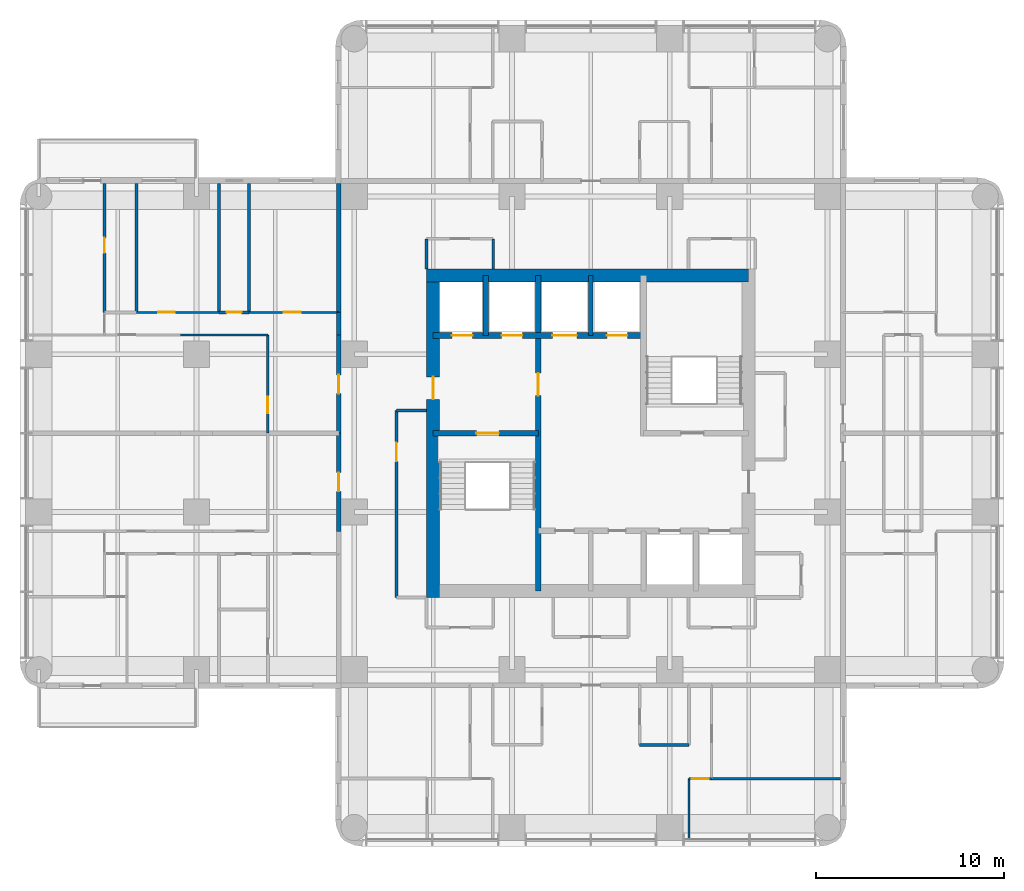
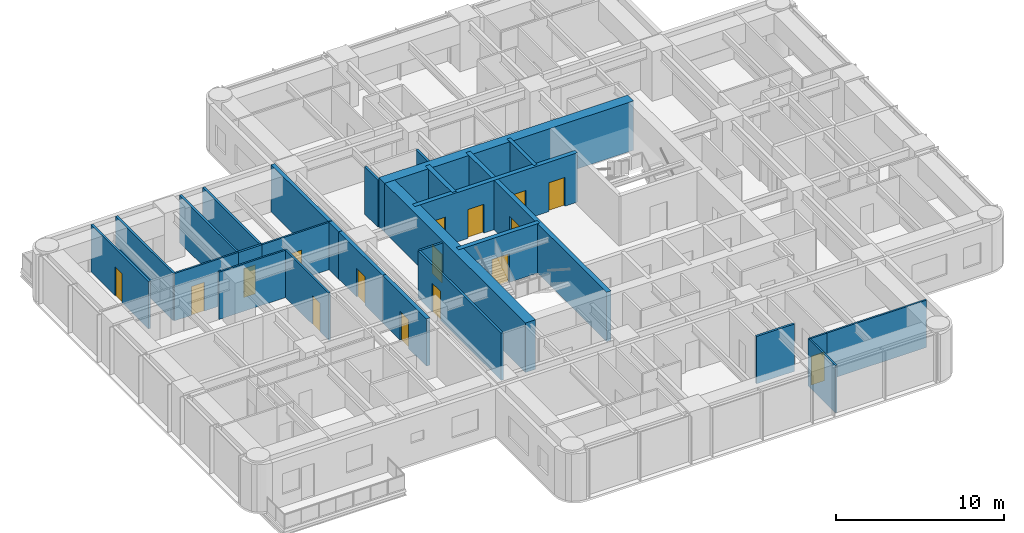
# One storey, part 6 of 11: 28 walls, 16 doors, 16 openings.
"""IFC4 building model written with IfcOpenShell, lengths in metres."""

from ifc_helpers import new_model, si_unit, direction, frame, frame_2d, origin, place, context, subcontext, project, spatial, rectangle, extrude, material, layer, layer_set, type_object, element, fill, save


model = new_model("IFC4")

# Units and contexts
model_context = context("Model", 3, precision=1e-05, world=origin(), true_north=direction((0.0, 1.0)))
body_context = subcontext(model_context, "Body", "Model", "MODEL_VIEW")
ifc_project = project(units=[si_unit("LENGTHUNIT", "METRE"), si_unit("AREAUNIT", "SQUARE_METRE"), si_unit("VOLUMEUNIT", "CUBIC_METRE"), si_unit("PLANEANGLEUNIT", "RADIAN"), si_unit("MASSUNIT", "GRAM", prefix="KILO")], contexts=[model_context])

# Site, building, storey
site_placement = place(None, origin())
site = spatial("IfcSite", under=ifc_project, at=site_placement, CompositionType="ELEMENT")
building_placement = place(site_placement, origin())
building = spatial("IfcBuilding", under=site, at=building_placement, Name="Torre Alcanfor", CompositionType="ELEMENT")
storey_placement = place(building_placement, frame((0.0, 0.0, 194.10009765625)))
storey = spatial("IfcBuildingStorey", under=building, at=storey_placement, Name="L50", CompositionType="ELEMENT", Elevation=194.10009765625)

# Wall, opening, door
ifc_material_1 = material(Name="Concrete block masonry, hollow blocks NMX-C-404 9 MPa", Category="masonry")
ifc_layer_1 = layer(ifc_material_1, 0.25)
ifc_layer_set_1 = layer_set([ifc_layer_1], Name="Apartment entrance wall 250 EI 60")
wall_type_1 = type_object("IfcWallType", Name="Apartment entrance wall 250 EI 60", PredefinedType="PARTITIONING", material=ifc_layer_set_1)
wall_1_placement = place(storey_placement, frame((15.97509765625, 24.1708984375, 0.0), z_axis=(0.0, 0.0, 1.0), x_axis=(0.0, 1.0, 0.0)))
wall_1 = element("IfcWall", 1, at=wall_1_placement, inside=storey, type_object=wall_type_1, Name="Partition L50-CORR / L50-W1-ZAG", PredefinedType="PARTITIONING", context=body_context, shape_type="SweptSolid", body=[
    extrude(rectangle(XDim=5.22900390625, YDim=0.25, at=frame_2d((2.614501953125, 0.0))), origin(), (0.0, 0.0, 1.0), 3.449951171875),
])
opening_1_placement = place(wall_1_placement, frame((2.12890625, 0.0, 0.0)))
opening_1 = element("IfcOpeningElement", 2, at=opening_1_placement, cuts=wall_1, Name="Opening D-A1", PredefinedType="OPENING", context=body_context, shape_type="SweptSolid", body=[
    extrude(rectangle(XDim=1.0, YDim=2.10009765625, at=frame_2d((0.5, 1.050048828125))), frame((0.0, 0.135009765625, 0.0), z_axis=(0.0, -1.0, 0.0), x_axis=(1.0, 0.0, 0.0)), (0.0, 0.0, 1.0), 0.27001953125),
])
ifc_material_2 = material(Name="Galvanised steel sheet ASTM A653", Category="steel")
door_type_1 = type_object("IfcDoorType", Name="Apartment entrance door FD60 1000x2100", OperationType="SINGLE_SWING_LEFT", PredefinedType="DOOR", material=ifc_material_2)
door_1_placement = place(opening_1_placement, origin())
door_1 = element("IfcDoor", 3, at=door_1_placement, inside=storey, type_object=door_type_1, Name="Apartment entrance L50-W1", OperationType="SINGLE_SWING_RIGHT", OverallHeight=2.10009765625, OverallWidth=1.0, PredefinedType="DOOR", context=body_context, shape_type="SweptSolid", body=[
    extrude(rectangle(XDim=1.0, YDim=2.10009765625, at=frame_2d((0.5, 1.050048828125))), frame((0.0, 0.02490234375, 0.0), z_axis=(0.0, -1.0, 0.0), x_axis=(1.0, 0.0, 0.0)), (0.0, 0.0, 1.0), 0.050048828125),
])
fill(opening_1, door_1)

wall_2_placement = place(storey_placement, frame((15.97509765625, 29.39990234375, 0.0), z_axis=(0.0, 0.0, 1.0), x_axis=(0.0, 1.0, 0.0)))
wall_2 = element("IfcWall", 4, at=wall_2_placement, inside=storey, type_object=wall_type_1, Name="Partition L50-CORR / L50-W2-ZAG", PredefinedType="PARTITIONING", context=body_context, shape_type="SweptSolid", body=[
    extrude(rectangle(XDim=5.22900390625, YDim=0.25, at=frame_2d((2.614501953125, 0.0))), origin(), (0.0, 0.0, 1.0), 3.449951171875),
])
opening_2_placement = place(wall_2_placement, frame((2.10009765625, 0.0, 0.0)))
opening_2 = element("IfcOpeningElement", 5, at=opening_2_placement, cuts=wall_2, Name="Opening D-A1", PredefinedType="OPENING", context=body_context, shape_type="SweptSolid", body=[
    extrude(rectangle(XDim=1.0, YDim=2.10009765625, at=frame_2d((0.5, 1.050048828125))), frame((0.0, 0.135009765625, 0.0), z_axis=(0.0, -1.0, 0.0), x_axis=(1.0, 0.0, 0.0)), (0.0, 0.0, 1.0), 0.27001953125),
])
door_2_placement = place(opening_2_placement, origin())
door_2 = element("IfcDoor", 6, at=door_2_placement, inside=storey, type_object=door_type_1, Name="Apartment entrance L50-W2", OperationType="SINGLE_SWING_LEFT", OverallHeight=2.10009765625, OverallWidth=1.0, PredefinedType="DOOR", context=body_context, shape_type="SweptSolid", body=[
    extrude(rectangle(XDim=1.0, YDim=2.10009765625, at=frame_2d((0.5, 1.050048828125))), frame((0.0, 0.02490234375, 0.0), z_axis=(0.0, -1.0, 0.0), x_axis=(1.0, 0.0, 0.0)), (0.0, 0.0, 1.0), 0.050048828125),
])
fill(opening_2, door_2)

# Walls
wall_3_placement = place(storey_placement, frame((15.97509765625, 34.62890625, 0.0), z_axis=(0.0, 0.0, 1.0), x_axis=(0.0, 1.0, 0.0)))
element("IfcWall", 7, at=wall_3_placement, inside=storey, type_object=wall_type_1, Name="Partition L50-CORR / L50-W2-HALL", PredefinedType="PARTITIONING", context=body_context, shape_type="SweptSolid", body=[
    extrude(rectangle(XDim=1.2001953125, YDim=0.25, at=frame_2d((0.60009765625, 0.0))), origin(), (0.0, 0.0, 1.0), 3.449951171875),
])
wall_4_placement = place(storey_placement, frame((15.97509765625, 35.8291015625, 0.0), z_axis=(0.0, 0.0, 1.0), x_axis=(0.0, 1.0, 0.0)))
element("IfcWall", 8, at=wall_4_placement, inside=storey, type_object=wall_type_1, Name="Partition L50-CORR / L50-W2-BED3", PredefinedType="PARTITIONING", context=body_context, shape_type="SweptSolid", body=[
    extrude(rectangle(XDim=6.870849609375, YDim=0.25, at=frame_2d((3.435546875, 0.0))), origin(), (0.0, 0.0, 1.0), 3.449951171875),
])

# Wall, opening, door
ifc_material_3 = material(Name="Gypsum board on steel studs", Category="steel")
ifc_layer_2 = layer(ifc_material_3, 0.1201171875)
ifc_layer_set_2 = layer_set([ifc_layer_2], Name="Apartment partition 120")
wall_type_2 = type_object("IfcWallType", Name="Apartment partition 120", PredefinedType="PARTITIONING", material=ifc_layer_set_2)
wall_5_placement = place(storey_placement, frame((35.8291015625, 11.0, 0.0), z_axis=(0.0, 0.0, 1.0), x_axis=(-1.0, 0.0, 0.0)))
wall_5 = element("IfcWall", 9, at=wall_5_placement, inside=storey, type_object=wall_type_2, Name="Partition L50-SX-LIVING / L50-SX-MASTER", PredefinedType="PARTITIONING", context=body_context, shape_type="SweptSolid", body=[
    extrude(rectangle(XDim=1.2001953125, YDim=0.1201171875, at=frame_2d((0.60009765625, 0.0))), origin(), (0.0, 0.0, 1.0), 3.449951171875),
])
opening_3_placement = place(wall_5_placement, frame((0.14892578125, 0.0, 0.0)))
opening_3 = element("IfcOpeningElement", 10, at=opening_3_placement, cuts=wall_5, Name="Opening D-R1", PredefinedType="OPENING", context=body_context, shape_type="SweptSolid", body=[
    extrude(rectangle(XDim=0.89990234375, YDim=2.10009765625, at=frame_2d((0.449951171875, 1.050048828125))), frame((0.0, 0.070068359375, 0.0), z_axis=(0.0, -1.0, 0.0), x_axis=(1.0, 0.0, 0.0)), (0.0, 0.0, 1.0), 0.14013671875),
])
ifc_material_4 = material(Name="Timber", Category="wood")
door_type_2 = type_object("IfcDoorType", Name="Internal door 900x2100", OperationType="SINGLE_SWING_LEFT", PredefinedType="DOOR", material=ifc_material_4)
door_3_placement = place(opening_3_placement, origin())
door_3 = element("IfcDoor", 11, at=door_3_placement, inside=storey, type_object=door_type_2, Name="Door L50-SX master", OperationType="SINGLE_SWING_RIGHT", OverallHeight=2.10009765625, OverallWidth=0.89990234375, PredefinedType="DOOR", context=body_context, shape_type="SweptSolid", body=[
    extrude(rectangle(XDim=0.89990234375, YDim=2.10009765625, at=frame_2d((0.449951171875, 1.050048828125))), frame((0.0, 0.02490234375, 0.0), z_axis=(0.0, -1.0, 0.0), x_axis=(1.0, 0.0, 0.0)), (0.0, 0.0, 1.0), 0.050048828125),
])
fill(opening_3, door_3)

# Walls
wall_6_placement = place(storey_placement, frame((34.62890625, 11.0, 0.0), z_axis=(0.0, 0.0, 1.0), x_axis=(0.0, -1.0, 0.0)))
element("IfcWall", 12, at=wall_6_placement, inside=storey, type_object=wall_type_2, Name="Partition L50-SX-LIVING / L50-SX-MASTER", PredefinedType="PARTITIONING", context=body_context, shape_type="SweptSolid", body=[
    extrude(rectangle(XDim=3.25, YDim=0.1201171875, at=frame_2d((1.625, 0.0))), origin(), (0.0, 0.0, 1.0), 3.449951171875),
])
wall_7_placement = place(storey_placement, frame((35.8291015625, 11.0, 0.0), z_axis=(0.0, 0.0, 1.0), x_axis=(1.0, 0.0, 0.0)))
element("IfcWall", 13, at=wall_7_placement, inside=storey, type_object=wall_type_2, Name="Partition L50-SX-BED2 / L50-SX-MASTER", PredefinedType="PARTITIONING", context=body_context, shape_type="SweptSolid", body=[
    extrude(rectangle(XDim=6.870849609375, YDim=0.1201171875, at=frame_2d((3.435546875, 0.0))), origin(), (0.0, 0.0, 1.0), 3.449951171875),
])

# Wall, opening, door
wall_8_placement = place(storey_placement, frame((12.199951171875, 29.39990234375, 0.0), z_axis=(0.0, 0.0, 1.0), x_axis=(0.0, 1.0, 0.0)))
wall_8 = element("IfcWall", 14, at=wall_8_placement, inside=storey, type_object=wall_type_2, Name="Partition L50-W2-ZAG / L50-W2-KITCHEN", PredefinedType="PARTITIONING", context=body_context, shape_type="SweptSolid", body=[
    extrude(rectangle(XDim=5.22900390625, YDim=0.1201171875, at=frame_2d((2.614501953125, 0.0))), origin(), (0.0, 0.0, 1.0), 3.449951171875),
])
opening_4_placement = place(wall_8_placement, frame((1.050048828125, 0.0, 0.0)))
opening_4 = element("IfcOpeningElement", 15, at=opening_4_placement, cuts=wall_8, Name="Opening D-R1", PredefinedType="OPENING", context=body_context, shape_type="SweptSolid", body=[
    extrude(rectangle(XDim=0.89990234375, YDim=2.10009765625, at=frame_2d((0.449951171875, 1.050048828125))), frame((0.0, 0.070068359375, 0.0), z_axis=(0.0, -1.0, 0.0), x_axis=(1.0, 0.0, 0.0)), (0.0, 0.0, 1.0), 0.14013671875),
])
door_4_placement = place(opening_4_placement, origin())
door_4 = element("IfcDoor", 16, at=door_4_placement, inside=storey, type_object=door_type_2, Name="Door L50-W2 kitchen", OperationType="SINGLE_SWING_LEFT", OverallHeight=2.10009765625, OverallWidth=0.89990234375, PredefinedType="DOOR", context=body_context, shape_type="SweptSolid", body=[
    extrude(rectangle(XDim=0.89990234375, YDim=2.10009765625, at=frame_2d((0.449951171875, 1.050048828125))), frame((0.0, 0.02490234375, 0.0), z_axis=(0.0, -1.0, 0.0), x_axis=(1.0, 0.0, 0.0)), (0.0, 0.0, 1.0), 0.050048828125),
])
fill(opening_4, door_4)

# Wall
wall_9_placement = place(storey_placement, frame((7.550048828125, 34.62890625, 0.0), z_axis=(0.0, 0.0, 1.0), x_axis=(1.0, 0.0, 0.0)))
element("IfcWall", 17, at=wall_9_placement, inside=storey, type_object=wall_type_2, Name="Partition L50-W2-KITCHEN / L50-W2-HALL", PredefinedType="PARTITIONING", context=body_context, shape_type="SweptSolid", body=[
    extrude(rectangle(XDim=4.64990234375, YDim=0.1201171875, at=frame_2d((2.324951171875, 0.0))), origin(), (0.0, 0.0, 1.0), 3.449951171875),
])

# Wall, opening, door
wall_10_placement = place(storey_placement, frame((11.199951171875, 35.8291015625, 0.0), z_axis=(0.0, 0.0, 1.0), x_axis=(1.0, 0.0, 0.0)))
wall_10 = element("IfcWall", 18, at=wall_10_placement, inside=storey, type_object=wall_type_2, Name="Partition L50-W2-HALL / L50-W2-BED3", PredefinedType="PARTITIONING", context=body_context, shape_type="SweptSolid", body=[
    extrude(rectangle(XDim=4.775146484375, YDim=0.1201171875, at=frame_2d((2.3876953125, 0.0))), origin(), (0.0, 0.0, 1.0), 3.449951171875),
])
opening_5_placement = place(wall_10_placement, frame((1.85009765625, 0.0, 0.0)))
opening_5 = element("IfcOpeningElement", 19, at=opening_5_placement, cuts=wall_10, Name="Opening D-R1", PredefinedType="OPENING", context=body_context, shape_type="SweptSolid", body=[
    extrude(rectangle(XDim=0.89990234375, YDim=2.10009765625, at=frame_2d((0.449951171875, 1.050048828125))), frame((0.0, 0.070068359375, 0.0), z_axis=(0.0, -1.0, 0.0), x_axis=(1.0, 0.0, 0.0)), (0.0, 0.0, 1.0), 0.14013671875),
])
door_5_placement = place(opening_5_placement, origin())
door_5 = element("IfcDoor", 20, at=door_5_placement, inside=storey, type_object=door_type_2, Name="Door L50-W2 bed3", OperationType="SINGLE_SWING_LEFT", OverallHeight=2.10009765625, OverallWidth=0.89990234375, PredefinedType="DOOR", context=body_context, shape_type="SweptSolid", body=[
    extrude(rectangle(XDim=0.89990234375, YDim=2.10009765625, at=frame_2d((0.449951171875, 1.050048828125))), frame((0.0, 0.02490234375, 0.0), z_axis=(0.0, -1.0, 0.0), x_axis=(1.0, 0.0, 0.0)), (0.0, 0.0, 1.0), 0.050048828125),
])
fill(opening_5, door_5)

wall_11_placement = place(storey_placement, frame((5.199951171875, 35.8291015625, 0.0), z_axis=(0.0, 0.0, 1.0), x_axis=(1.0, 0.0, 0.0)))
wall_11 = element("IfcWall", 21, at=wall_11_placement, inside=storey, type_object=wall_type_2, Name="Partition L50-W2-HALL / L50-W2-BED2", PredefinedType="PARTITIONING", context=body_context, shape_type="SweptSolid", body=[
    extrude(rectangle(XDim=4.400146484375, YDim=0.1201171875, at=frame_2d((2.2001953125, 0.0))), origin(), (0.0, 0.0, 1.0), 3.449951171875),
])
opening_6_placement = place(wall_11_placement, frame((1.14990234375, 0.0, 0.0)))
opening_6 = element("IfcOpeningElement", 22, at=opening_6_placement, cuts=wall_11, Name="Opening D-R1", PredefinedType="OPENING", context=body_context, shape_type="SweptSolid", body=[
    extrude(rectangle(XDim=0.89990234375, YDim=2.10009765625, at=frame_2d((0.449951171875, 1.050048828125))), frame((0.0, 0.070068359375, 0.0), z_axis=(0.0, -1.0, 0.0), x_axis=(1.0, 0.0, 0.0)), (0.0, 0.0, 1.0), 0.14013671875),
])
door_6_placement = place(opening_6_placement, origin())
door_6 = element("IfcDoor", 23, at=door_6_placement, inside=storey, type_object=door_type_2, Name="Door L50-W2 bed2", OperationType="SINGLE_SWING_LEFT", OverallHeight=2.10009765625, OverallWidth=0.89990234375, PredefinedType="DOOR", context=body_context, shape_type="SweptSolid", body=[
    extrude(rectangle(XDim=0.89990234375, YDim=2.10009765625, at=frame_2d((0.449951171875, 1.050048828125))), frame((0.0, 0.02490234375, 0.0), z_axis=(0.0, -1.0, 0.0), x_axis=(1.0, 0.0, 0.0)), (0.0, 0.0, 1.0), 0.050048828125),
])
fill(opening_6, door_6)

ifc_material_5 = material(Name="Concrete f'c 70 MPa", Category="concrete")
ifc_layer_3 = layer(ifc_material_5, 0.300048828125)
ifc_layer_set_3 = layer_set([ifc_layer_3], Name="Core inner wall 300 f'c70")
wall_type_3 = type_object("IfcWallType", Name="Core inner wall 300 f'c70", PredefinedType="SHEAR", material=ifc_layer_set_3)
wall_12_placement = place(storey_placement, frame((26.60009765625, 21.0, 0.0), z_axis=(0.0, 0.0, 1.0), x_axis=(0.0, 1.0, 0.0)))
wall_12 = element("IfcWall", 24, at=wall_12_placement, inside=storey, type_object=wall_type_3, Name="Core wall X266 L50", PredefinedType="SHEAR", context=body_context, shape_type="SweptSolid", body=[
    extrude(rectangle(XDim=16.800048828125, YDim=0.300048828125, at=frame_2d((8.39990234375, 0.0))), origin(), (0.0, 0.0, 1.0), 3.599853515625),
])
opening_7_placement = place(wall_12_placement, frame((10.39990234375, 0.0, 0.0)))
opening_7 = element("IfcOpeningElement", 25, at=opening_7_placement, cuts=wall_12, Name="Opening D-L1", PredefinedType="OPENING", context=body_context, shape_type="SweptSolid", body=[
    extrude(rectangle(XDim=1.199951171875, YDim=2.10009765625, at=frame_2d((0.60009765625, 1.050048828125))), frame((0.0, 0.159912109375, 0.0), z_axis=(0.0, -1.0, 0.0), x_axis=(1.0, 0.0, 0.0)), (0.0, 0.0, 1.0), 0.320068359375),
])
ifc_material_6 = material(Name="Galvanised steel sheet ASTM A653", Category="steel")
door_type_3 = type_object("IfcDoorType", Name="Lobby door FD120 1200x2100", OperationType="SINGLE_SWING_LEFT", PredefinedType="DOOR", material=ifc_material_6)
door_7_placement = place(opening_7_placement, origin())
door_7 = element("IfcDoor", 26, at=door_7_placement, inside=storey, type_object=door_type_3, Name="Lift lobby door L50", OperationType="SINGLE_SWING_LEFT", OverallHeight=2.10009765625, OverallWidth=1.199951171875, PredefinedType="DOOR", context=body_context, shape_type="SweptSolid", body=[
    extrude(rectangle(XDim=1.199951171875, YDim=2.10009765625, at=frame_2d((0.60009765625, 1.050048828125))), frame((0.0, 0.02490234375, 0.0), z_axis=(0.0, -1.0, 0.0), x_axis=(1.0, 0.0, 0.0)), (0.0, 0.0, 1.0), 0.050048828125),
])
fill(opening_7, door_7)

wall_13_placement = place(storey_placement, frame((21.0, 29.39990234375, 0.0), z_axis=(0.0, 0.0, 1.0), x_axis=(1.0, 0.0, 0.0)))
wall_13 = element("IfcWall", 27, at=wall_13_placement, inside=storey, type_object=wall_type_3, Name="Core wall Y294W L50", PredefinedType="SHEAR", context=body_context, shape_type="SweptSolid", body=[
    extrude(rectangle(XDim=5.60009765625, YDim=0.300048828125, at=frame_2d((2.800048828125, 0.0))), origin(), (0.0, 0.0, 1.0), 3.599853515625),
])
opening_8_placement = place(wall_13_placement, frame((2.300048828125, 0.0, 0.0)))
opening_8 = element("IfcOpeningElement", 28, at=opening_8_placement, cuts=wall_13, Name="Opening D-S2", PredefinedType="OPENING", context=body_context, shape_type="SweptSolid", body=[
    extrude(rectangle(XDim=1.199951171875, YDim=2.10009765625, at=frame_2d((0.60009765625, 1.050048828125))), frame((0.0, 0.159912109375, 0.0), z_axis=(0.0, -1.0, 0.0), x_axis=(1.0, 0.0, 0.0)), (0.0, 0.0, 1.0), 0.320068359375),
])
ifc_material_7 = material(Name="Galvanised steel sheet ASTM A653", Category="steel")
door_type_4 = type_object("IfcDoorType", Name="Stair enclosure door FD120 1200x2100", OperationType="SINGLE_SWING_LEFT", PredefinedType="DOOR", material=ifc_material_7)
door_8_placement = place(opening_8_placement, frame((1.199951171875, 0.0, 0.0), z_axis=(0.0, 0.0, 1.0), x_axis=(-1.0, 0.0, 0.0)))
door_8 = element("IfcDoor", 29, at=door_8_placement, inside=storey, type_object=door_type_4, Name="Stair S1 door L50", OperationType="SINGLE_SWING_LEFT", OverallHeight=2.10009765625, OverallWidth=1.199951171875, PredefinedType="DOOR", context=body_context, shape_type="SweptSolid", body=[
    extrude(rectangle(XDim=1.199951171875, YDim=2.10009765625, at=frame_2d((0.599853515625, 1.050048828125))), frame((0.0, 0.025146484375, 0.0), z_axis=(0.0, -1.0, 0.0), x_axis=(1.0, 0.0, 0.0)), (0.0, 0.0, 1.0), 0.050048828125),
])
fill(opening_8, door_8)

# Wall, openings, doors
wall_14_placement = place(storey_placement, frame((21.0, 34.60009765625, 0.0), z_axis=(0.0, 0.0, 1.0), x_axis=(1.0, 0.0, 0.0)))
wall_14 = element("IfcWall", 30, at=wall_14_placement, inside=storey, type_object=wall_type_3, Name="Core wall Y346 L50", PredefinedType="SHEAR", context=body_context, shape_type="SweptSolid", body=[
    extrude(rectangle(XDim=11.199951171875, YDim=0.300048828125, at=frame_2d((5.60009765625, 0.0))), origin(), (0.0, 0.0, 1.0), 3.599853515625),
])
opening_9_placement = place(wall_14_placement, frame((9.25, 0.0, 0.0)))
opening_9 = element("IfcOpeningElement", 31, at=opening_9_placement, cuts=wall_14, Name="Opening LD1", PredefinedType="OPENING", context=body_context, shape_type="SweptSolid", body=[
    extrude(rectangle(XDim=1.10009765625, YDim=2.10009765625, at=frame_2d((0.550048828125, 1.050048828125))), frame((0.0, 0.159912109375, 0.0), z_axis=(0.0, -1.0, 0.0), x_axis=(1.0, 0.0, 0.0)), (0.0, 0.0, 1.0), 0.320068359375),
])
opening_10_placement = place(wall_14_placement, frame((1.0, 0.0, 0.0)))
opening_10 = element("IfcOpeningElement", 32, at=opening_10_placement, cuts=wall_14, Name="Opening LD2", PredefinedType="OPENING", context=body_context, shape_type="SweptSolid", body=[
    extrude(rectangle(XDim=1.10009765625, YDim=2.10009765625, at=frame_2d((0.550048828125, 1.050048828125))), frame((0.0, 0.159912109375, 0.0), z_axis=(0.0, -1.0, 0.0), x_axis=(1.0, 0.0, 0.0)), (0.0, 0.0, 1.0), 0.320068359375),
])
opening_11_placement = place(wall_14_placement, frame((3.64990234375, 0.0, 0.0)))
opening_11 = element("IfcOpeningElement", 33, at=opening_11_placement, cuts=wall_14, Name="Opening LD2", PredefinedType="OPENING", context=body_context, shape_type="SweptSolid", body=[
    extrude(rectangle(XDim=1.10009765625, YDim=2.10009765625, at=frame_2d((0.550048828125, 1.050048828125))), frame((0.0, 0.159912109375, 0.0), z_axis=(0.0, -1.0, 0.0), x_axis=(1.0, 0.0, 0.0)), (0.0, 0.0, 1.0), 0.320068359375),
])
opening_12_placement = place(wall_14_placement, frame((6.35009765625, 0.0, 0.0)))
opening_12 = element("IfcOpeningElement", 34, at=opening_12_placement, cuts=wall_14, Name="Opening LD3", PredefinedType="OPENING", context=body_context, shape_type="SweptSolid", body=[
    extrude(rectangle(XDim=1.300048828125, YDim=2.10009765625, at=frame_2d((0.64990234375, 1.050048828125))), frame((0.0, 0.159912109375, 0.0), z_axis=(0.0, -1.0, 0.0), x_axis=(1.0, 0.0, 0.0)), (0.0, 0.0, 1.0), 0.320068359375),
])
ifc_material_8 = material(Name="Galvanised steel sheet ASTM A653", Category="steel")
door_type_5 = type_object("IfcDoorType", Name="Firefighting lift landing door 1100x2100", OperationType="DOUBLE_DOOR_SLIDING", PredefinedType="DOOR", material=ifc_material_8)
door_9_placement = place(opening_10_placement, origin())
door_9 = element("IfcDoor", 35, at=door_9_placement, inside=storey, type_object=door_type_5, Name="Lift landing door FL1 L50", OperationType="DOUBLE_DOOR_SLIDING", OverallHeight=2.10009765625, OverallWidth=1.10009765625, PredefinedType="DOOR", context=body_context, shape_type="SweptSolid", body=[
    extrude(rectangle(XDim=1.10009765625, YDim=2.10009765625, at=frame_2d((0.550048828125, 1.050048828125))), frame((0.0, 0.02490234375, 0.0), z_axis=(0.0, -1.0, 0.0), x_axis=(1.0, 0.0, 0.0)), (0.0, 0.0, 1.0), 0.050048828125),
])
fill(opening_10, door_9)
door_10_placement = place(opening_11_placement, origin())
door_10 = element("IfcDoor", 36, at=door_10_placement, inside=storey, type_object=door_type_5, Name="Lift landing door FL2 L50", OperationType="DOUBLE_DOOR_SLIDING", OverallHeight=2.10009765625, OverallWidth=1.10009765625, PredefinedType="DOOR", context=body_context, shape_type="SweptSolid", body=[
    extrude(rectangle(XDim=1.10009765625, YDim=2.10009765625, at=frame_2d((0.550048828125, 1.050048828125))), frame((0.0, 0.02490234375, 0.0), z_axis=(0.0, -1.0, 0.0), x_axis=(1.0, 0.0, 0.0)), (0.0, 0.0, 1.0), 0.050048828125),
])
fill(opening_11, door_10)
ifc_material_9 = material(Name="Galvanised steel sheet ASTM A653", Category="steel")
door_type_6 = type_object("IfcDoorType", Name="Lift landing door 1100x2100", OperationType="DOUBLE_DOOR_SLIDING", PredefinedType="DOOR", material=ifc_material_9)
door_11_placement = place(opening_9_placement, origin())
door_11 = element("IfcDoor", 37, at=door_11_placement, inside=storey, type_object=door_type_6, Name="Lift landing door PA5 L50", OperationType="DOUBLE_DOOR_SLIDING", OverallHeight=2.10009765625, OverallWidth=1.10009765625, PredefinedType="DOOR", context=body_context, shape_type="SweptSolid", body=[
    extrude(rectangle(XDim=1.10009765625, YDim=2.10009765625, at=frame_2d((0.550048828125, 1.050048828125))), frame((0.0, 0.02490234375, 0.0), z_axis=(0.0, -1.0, 0.0), x_axis=(1.0, 0.0, 0.0)), (0.0, 0.0, 1.0), 0.050048828125),
])
fill(opening_9, door_11)
ifc_material_10 = material(Name="Galvanised steel sheet ASTM A653", Category="steel")
door_type_7 = type_object("IfcDoorType", Name="Service lift landing door 1300x2100", OperationType="DOUBLE_DOOR_SLIDING", PredefinedType="DOOR", material=ifc_material_10)
door_12_placement = place(opening_12_placement, origin())
door_12 = element("IfcDoor", 38, at=door_12_placement, inside=storey, type_object=door_type_7, Name="Lift landing door SL1 L50", OperationType="DOUBLE_DOOR_SLIDING", OverallHeight=2.10009765625, OverallWidth=1.300048828125, PredefinedType="DOOR", context=body_context, shape_type="SweptSolid", body=[
    extrude(rectangle(XDim=1.300048828125, YDim=2.10009765625, at=frame_2d((0.64990234375, 1.050048828125))), frame((0.0, 0.02490234375, 0.0), z_axis=(0.0, -1.0, 0.0), x_axis=(1.0, 0.0, 0.0)), (0.0, 0.0, 1.0), 0.050048828125),
])
fill(opening_12, door_12)

# Walls
wall_15_placement = place(storey_placement, frame((23.800048828125, 34.60009765625, 0.0), z_axis=(0.0, 0.0, 1.0), x_axis=(0.0, 1.0, 0.0)))
element("IfcWall", 39, at=wall_15_placement, inside=storey, type_object=wall_type_3, Name="Core wall X238 L50", PredefinedType="SHEAR", context=body_context, shape_type="SweptSolid", body=[
    extrude(rectangle(XDim=3.199951171875, YDim=0.300048828125, at=frame_2d((1.60009765625, 0.0))), origin(), (0.0, 0.0, 1.0), 3.599853515625),
])
ifc_material_11 = material(Name="Concrete f'c 70 MPa", Category="concrete")
ifc_layer_4 = layer(ifc_material_11, 0.25)
ifc_layer_set_4 = layer_set([ifc_layer_4], Name="Core shaft wall 250 f'c70")
wall_type_4 = type_object("IfcWallType", Name="Core shaft wall 250 f'c70", PredefinedType="SHEAR", material=ifc_layer_set_4)
wall_16_placement = place(storey_placement, frame((29.39990234375, 34.60009765625, 0.0), z_axis=(0.0, 0.0, 1.0), x_axis=(0.0, 1.0, 0.0)))
element("IfcWall", 40, at=wall_16_placement, inside=storey, type_object=wall_type_4, Name="Core wall X294N L50", PredefinedType="SHEAR", context=body_context, shape_type="SweptSolid", body=[
    extrude(rectangle(XDim=3.199951171875, YDim=0.25, at=frame_2d((1.60009765625, 0.0))), origin(), (0.0, 0.0, 1.0), 3.599853515625),
])
ifc_material_12 = material(Name="Concrete f'c 70 MPa", Category="concrete")
ifc_layer_5 = layer(ifc_material_12, 0.699951171875)
ifc_layer_set_5 = layer_set([ifc_layer_5], Name="Core wall 700 f'c70")
wall_type_5 = type_object("IfcWallType", Name="Core wall 700 f'c70", PredefinedType="SHEAR", material=ifc_layer_set_5)
wall_17_placement = place(storey_placement, frame((37.800048828125, 37.800048828125, 0.0), z_axis=(0.0, 0.0, 1.0), x_axis=(-1.0, 0.0, 0.0)))
element("IfcWall", 41, at=wall_17_placement, inside=storey, type_object=wall_type_5, Name="Core wall OUT-N L50", PredefinedType="SHEAR", context=body_context, shape_type="SweptSolid", body=[
    extrude(rectangle(XDim=17.150146484375, YDim=0.699951171875, at=frame_2d((8.5751953125, 0.0))), origin(), (0.0, 0.0, 1.0), 3.599853515625),
])

# Wall, opening, door
wall_18_placement = place(storey_placement, frame((21.0, 37.800048828125, 0.0), z_axis=(0.0, 0.0, 1.0), x_axis=(0.0, -1.0, 0.0)))
wall_18 = element("IfcWall", 42, at=wall_18_placement, inside=storey, type_object=wall_type_5, Name="Core wall OUT-W L50", PredefinedType="SHEAR", context=body_context, shape_type="SweptSolid", body=[
    extrude(rectangle(XDim=17.150146484375, YDim=0.699951171875, at=frame_2d((8.5751953125, 0.0))), origin(), (0.0, 0.0, 1.0), 3.599853515625),
])
opening_13_placement = place(wall_18_placement, frame((5.39990234375, 0.0, 0.0)))
opening_13 = element("IfcOpeningElement", 43, at=opening_13_placement, cuts=wall_18, Name="Opening D-L1", PredefinedType="OPENING", context=body_context, shape_type="SweptSolid", body=[
    extrude(rectangle(XDim=1.199951171875, YDim=2.10009765625, at=frame_2d((0.60009765625, 1.050048828125))), frame((0.0, 0.35986328125, 0.0), z_axis=(0.0, -1.0, 0.0), x_axis=(1.0, 0.0, 0.0)), (0.0, 0.0, 1.0), 0.719970703125),
])
door_13_placement = place(opening_13_placement, origin())
door_13 = element("IfcDoor", 44, at=door_13_placement, inside=storey, type_object=door_type_3, Name="Firefighting lobby door L50", OperationType="SINGLE_SWING_LEFT", OverallHeight=2.10009765625, OverallWidth=1.199951171875, PredefinedType="DOOR", context=body_context, shape_type="SweptSolid", body=[
    extrude(rectangle(XDim=1.199951171875, YDim=2.10009765625, at=frame_2d((0.60009765625, 1.050048828125))), frame((0.0, 0.02490234375, 0.0), z_axis=(0.0, -1.0, 0.0), x_axis=(1.0, 0.0, 0.0)), (0.0, 0.0, 1.0), 0.050048828125),
])
fill(opening_13, door_13)

# Walls
ifc_material_13 = material(Name="Concrete block masonry, hollow blocks NMX-C-404 9 MPa", Category="masonry")
ifc_layer_6 = layer(ifc_material_13, 0.14990234375)
ifc_layer_set_6 = layer_set([ifc_layer_6], Name="Residents' room partition 150")
wall_type_6 = type_object("IfcWallType", Name="Residents' room partition 150", PredefinedType="PARTITIONING", material=ifc_layer_set_6)
for number, where, z_axis, x_axis, name in (
    (45, (24.199951171875, 38.14990234375, 0.0), (0.0, 0.0, 1.0), (0.0, 1.0, 0.0), "Partition L50-CORR / L50-G01"),
    (46, (20.64990234375, 39.75, 0.0), (0.0, 0.0, 1.0), (0.0, -1.0, 0.0), "Partition L50-CORR / L50-G01"),
):
    element("IfcWall", number, at=place(storey_placement, frame(where, z_axis=z_axis, x_axis=x_axis)), inside=storey, type_object=wall_type_6, Name=name, PredefinedType="PARTITIONING", context=body_context, shape_type="SweptSolid", body=[
        extrude(rectangle(XDim=1.60009765625, YDim=0.14990234375, at=frame_2d((0.800048828125, 0.0))), origin(), (0.0, 0.0, 1.0), 3.449951171875),
    ])
wall_19_placement = place(storey_placement, frame((20.64990234375, 30.60009765625, 0.0), z_axis=(0.0, 0.0, 1.0), x_axis=(-1.0, 0.0, 0.0)))
element("IfcWall", 47, at=wall_19_placement, inside=storey, type_object=wall_type_6, Name="Partition L50-CORR / L50-G08", PredefinedType="PARTITIONING", context=body_context, shape_type="SweptSolid", body=[
    extrude(rectangle(XDim=1.599853515625, YDim=0.14990234375, at=frame_2d((0.7998046875, 0.0))), origin(), (0.0, 0.0, 1.0), 3.449951171875),
])

# Wall, opening, door
wall_20_placement = place(storey_placement, frame((19.050048828125, 30.60009765625, 0.0), z_axis=(0.0, 0.0, 1.0), x_axis=(0.0, -1.0, 0.0)))
wall_20 = element("IfcWall", 48, at=wall_20_placement, inside=storey, type_object=wall_type_6, Name="Partition L50-CORR / L50-G08", PredefinedType="PARTITIONING", context=body_context, shape_type="SweptSolid", body=[
    extrude(rectangle(XDim=9.9501953125, YDim=0.14990234375, at=frame_2d((4.97509765625, 0.0))), origin(), (0.0, 0.0, 1.0), 3.449951171875),
])
opening_14_placement = place(wall_20_placement, frame((1.699951171875, 0.0, 0.0)))
opening_14 = element("IfcOpeningElement", 49, at=opening_14_placement, cuts=wall_20, Name="Opening D-M1", PredefinedType="OPENING", context=body_context, shape_type="SweptSolid", body=[
    extrude(rectangle(XDim=1.0, YDim=2.10009765625, at=frame_2d((0.5, 1.050048828125))), frame((0.0, 0.0849609375, 0.0), z_axis=(0.0, -1.0, 0.0), x_axis=(1.0, 0.0, 0.0)), (0.0, 0.0, 1.0), 0.169921875),
])
ifc_material_14 = material(Name="Timber", Category="wood")
door_type_8 = type_object("IfcDoorType", Name="Residents' room door 1000x2100", OperationType="SINGLE_SWING_LEFT", PredefinedType="DOOR", material=ifc_material_14)
door_14_placement = place(opening_14_placement, origin())
door_14 = element("IfcDoor", 50, at=door_14_placement, inside=storey, type_object=door_type_8, Name="Door L50-G08 residents' lockers", OperationType="SINGLE_SWING_LEFT", OverallHeight=2.10009765625, OverallWidth=1.0, PredefinedType="DOOR", context=body_context, shape_type="SweptSolid", body=[
    extrude(rectangle(XDim=1.0, YDim=2.10009765625, at=frame_2d((0.5, 1.050048828125))), frame((0.0, 0.02490234375, 0.0), z_axis=(0.0, -1.0, 0.0), x_axis=(1.0, 0.0, 0.0)), (0.0, 0.0, 1.0), 0.050048828125),
])
fill(opening_14, door_14)

# Wall
ifc_material_15 = material(Name="Cement board on steel studs", Category="steel")
ifc_layer_7 = layer(ifc_material_15, 0.14990234375)
ifc_layer_set_7 = layer_set([ifc_layer_7], Name="Wet area partition 150")
wall_type_7 = type_object("IfcWallType", Name="Wet area partition 150", PredefinedType="PARTITIONING", material=ifc_layer_set_7)
wall_21_placement = place(storey_placement, frame((32.0, 12.800048828125, 0.0), z_axis=(0.0, 0.0, 1.0), x_axis=(1.0, 0.0, 0.0)))
element("IfcWall", 51, at=wall_21_placement, inside=storey, type_object=wall_type_7, Name="Partition L50-SX-BATH2 / L50-SX-LIVING", PredefinedType="PARTITIONING", context=body_context, shape_type="SweptSolid", body=[
    extrude(rectangle(XDim=2.62890625, YDim=0.14990234375, at=frame_2d((1.314453125, 0.0))), origin(), (0.0, 0.0, 1.0), 3.449951171875),
])

# Wall, opening, door
wall_22_placement = place(storey_placement, frame((9.60009765625, 35.8291015625, 0.0), z_axis=(0.0, 0.0, 1.0), x_axis=(1.0, 0.0, 0.0)))
wall_22 = element("IfcWall", 52, at=wall_22_placement, inside=storey, type_object=wall_type_7, Name="Partition L50-W2-HALL / L50-W2-BATH1", PredefinedType="PARTITIONING", context=body_context, shape_type="SweptSolid", body=[
    extrude(rectangle(XDim=1.599853515625, YDim=0.14990234375, at=frame_2d((0.7998046875, 0.0))), origin(), (0.0, 0.0, 1.0), 3.449951171875),
])
opening_15_placement = place(wall_22_placement, frame((0.39990234375, 0.0, 0.0)))
opening_15 = element("IfcOpeningElement", 53, at=opening_15_placement, cuts=wall_22, Name="Opening D-R2", PredefinedType="OPENING", context=body_context, shape_type="SweptSolid", body=[
    extrude(rectangle(XDim=0.800048828125, YDim=2.10009765625, at=frame_2d((0.39990234375, 1.050048828125))), frame((0.0, 0.0849609375, 0.0), z_axis=(0.0, -1.0, 0.0), x_axis=(1.0, 0.0, 0.0)), (0.0, 0.0, 1.0), 0.169921875),
])
ifc_material_16 = material(Name="Timber", Category="wood")
door_type_9 = type_object("IfcDoorType", Name="Bathroom door 800x2100", OperationType="SINGLE_SWING_LEFT", PredefinedType="DOOR", material=ifc_material_16)
door_15_placement = place(opening_15_placement, origin())
door_15 = element("IfcDoor", 54, at=door_15_placement, inside=storey, type_object=door_type_9, Name="Door L50-W2 bath1", OperationType="SINGLE_SWING_LEFT", OverallHeight=2.10009765625, OverallWidth=0.800048828125, PredefinedType="DOOR", context=body_context, shape_type="SweptSolid", body=[
    extrude(rectangle(XDim=0.800048828125, YDim=2.10009765625, at=frame_2d((0.39990234375, 1.050048828125))), frame((0.0, 0.02490234375, 0.0), z_axis=(0.0, -1.0, 0.0), x_axis=(1.0, 0.0, 0.0)), (0.0, 0.0, 1.0), 0.050048828125),
])
fill(opening_15, door_15)

# Walls
for number, where, z_axis, x_axis, name in (
    (55, (11.199951171875, 35.8291015625, 0.0), (0.0, 0.0, 1.0), (0.0, 1.0, 0.0), "Partition L50-W2-BED3 / L50-W2-BATH1"),
    (56, (9.60009765625, 35.8291015625, 0.0), (0.0, 0.0, 1.0), (0.0, 1.0, 0.0), "Partition L50-W2-BATH1 / L50-W2-BED2"),
    (57, (5.199951171875, 35.8291015625, 0.0), (0.0, 0.0, 1.0), (0.0, 1.0, 0.0), "Partition L50-W2-BED2 / L50-W2-ENSBATH"),
):
    element("IfcWall", number, at=place(storey_placement, frame(where, z_axis=z_axis, x_axis=x_axis)), inside=storey, type_object=wall_type_7, Name=name, PredefinedType="PARTITIONING", context=body_context, shape_type="SweptSolid", body=[
        extrude(rectangle(XDim=6.870849609375, YDim=0.14990234375, at=frame_2d((3.435546875, 0.0))), origin(), (0.0, 0.0, 1.0), 3.449951171875),
    ])

# Wall, opening, door
wall_23_placement = place(storey_placement, frame((3.5, 35.8291015625, 0.0), z_axis=(0.0, 0.0, 1.0), x_axis=(0.0, 1.0, 0.0)))
wall_23 = element("IfcWall", 58, at=wall_23_placement, inside=storey, type_object=wall_type_7, Name="Partition L50-W2-ENSBATH / L50-W2-MASTER", PredefinedType="PARTITIONING", context=body_context, shape_type="SweptSolid", body=[
    extrude(rectangle(XDim=6.870849609375, YDim=0.14990234375, at=frame_2d((3.435546875, 0.0))), origin(), (0.0, 0.0, 1.0), 3.449951171875),
])
opening_16_placement = place(wall_23_placement, frame((3.1708984375, 0.0, 0.0)))
opening_16 = element("IfcOpeningElement", 59, at=opening_16_placement, cuts=wall_23, Name="Opening D-R2", PredefinedType="OPENING", context=body_context, shape_type="SweptSolid", body=[
    extrude(rectangle(XDim=0.800048828125, YDim=2.10009765625, at=frame_2d((0.39990234375, 1.050048828125))), frame((0.0, 0.0849609375, 0.0), z_axis=(0.0, -1.0, 0.0), x_axis=(1.0, 0.0, 0.0)), (0.0, 0.0, 1.0), 0.169921875),
])
door_16_placement = place(opening_16_placement, frame((0.800048828125, 0.0, 0.0), z_axis=(0.0, 0.0, 1.0), x_axis=(-1.0, 0.0, 0.0)))
door_16 = element("IfcDoor", 60, at=door_16_placement, inside=storey, type_object=door_type_9, Name="Door L50-W2 ensbath", OperationType="SINGLE_SWING_LEFT", OverallHeight=2.10009765625, OverallWidth=0.800048828125, PredefinedType="DOOR", context=body_context, shape_type="SweptSolid", body=[
    extrude(rectangle(XDim=0.800048828125, YDim=2.10009765625, at=frame_2d((0.400146484375, 1.050048828125))), frame((0.0, 0.025146484375, 0.0), z_axis=(0.0, -1.0, 0.0), x_axis=(1.0, 0.0, 0.0)), (0.0, 0.0, 1.0), 0.050048828125),
])
fill(opening_16, door_16)

save(model, "model.ifc")
